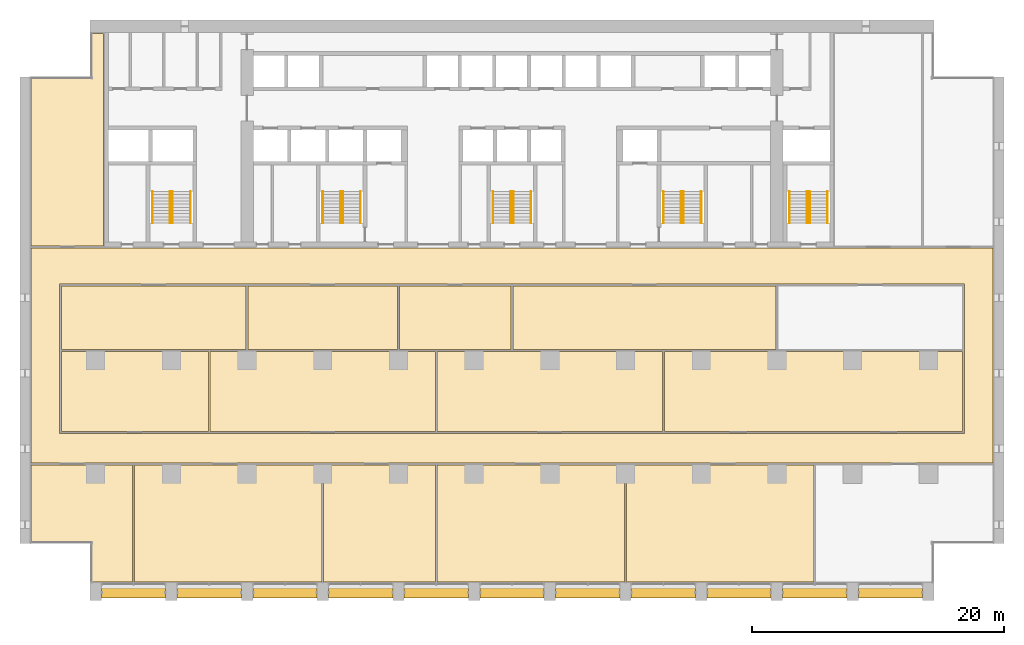
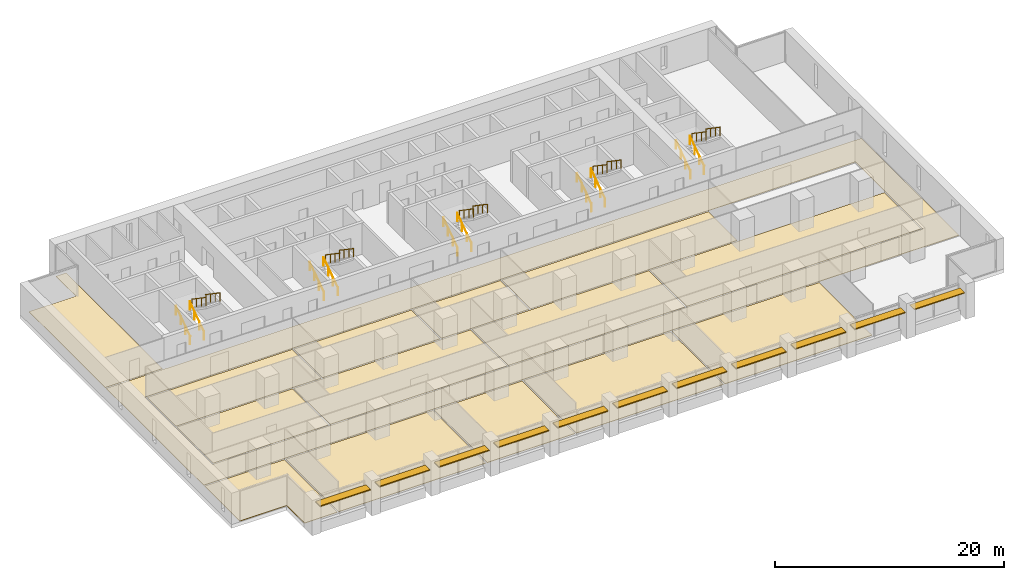
# One storey, part 17 of 18: 20 railings, 15 coverings, 11 shading devices, 5 elements without a shape of their own.
"""IFC4 building model written with IfcOpenShell, lengths in metres."""

from ifc_helpers import new_model, si_unit, direction, frame, origin, origin_2d, place, context, subcontext, project, spatial, polyline, rectangle, circle, outline, extrude, material, layer, layer_set, material_profile, profile_set, type_object, element, aggregate, save


model = new_model("IFC4")

# Units and contexts
model_context = context("Model", 3, precision=1e-05, world=origin(), true_north=direction((0.0, 1.0)))
body_context = subcontext(model_context, "Body", "Model", "MODEL_VIEW")
ifc_project = project(units=[si_unit("LENGTHUNIT", "METRE"), si_unit("AREAUNIT", "SQUARE_METRE"), si_unit("VOLUMEUNIT", "CUBIC_METRE"), si_unit("PLANEANGLEUNIT", "RADIAN"), si_unit("MASSUNIT", "GRAM", prefix="KILO")], contexts=[model_context])

# Site, building, storey
site_placement = place(None, origin())
site = spatial("IfcSite", under=ifc_project, at=site_placement, CompositionType="ELEMENT")
building_placement = place(site_placement, origin())
building = spatial("IfcBuilding", under=site, at=building_placement, Name="Calvaro Tower", CompositionType="ELEMENT")
storey_placement = place(building_placement, frame((0.0, 0.0, 78.75)))
storey = spatial("IfcBuildingStorey", under=building, at=storey_placement, Name="L19", CompositionType="ELEMENT", Elevation=78.75)

# Shading devices
ifc_material_1 = material(Name="Anodised aluminium", Category="aluminium")
ifc_material_profile = material_profile(ifc_material_1, rectangle(XDim=0.800048828125, YDim=0.10009765625, at=origin_2d()), Name="Brise-soleil blade 800 x 100")
ifc_profile_set = profile_set([ifc_material_profile], Name="Anodised aluminium")
shading_device_type = type_object("IfcShadingDeviceType", Name="Brise-soleil blade 800 x 100", PredefinedType="JALOUSIE", material=ifc_profile_set)
for number, where, z_axis, x_axis, name in (
    (1, (6.449951171875, 0.60009765625, 2.300048828125), (1.0, 0.0, 0.0), (0.0, 1.0, 0.0), "Brise-soleil blade 1"),
    (2, (12.449951171875, 0.60009765625, 2.300048828125), (1.0, 0.0, 0.0), (0.0, 1.0, 0.0), "Brise-soleil blade 2"),
    (3, (18.449951171875, 0.60009765625, 2.300048828125), (1.0, 0.0, 0.0), (0.0, 1.0, 0.0), "Brise-soleil blade 3"),
    (4, (24.449951171875, 0.60009765625, 2.300048828125), (1.0, 0.0, 0.0), (0.0, 1.0, 0.0), "Brise-soleil blade 4"),
    (5, (30.449951171875, 0.60009765625, 2.300048828125), (1.0, 0.0, 0.0), (0.0, 1.0, 0.0), "Brise-soleil blade 5"),
    (6, (36.449951171875, 0.60009765625, 2.300048828125), (1.0, 0.0, 0.0), (0.0, 1.0, 0.0), "Brise-soleil blade 6"),
    (7, (42.449951171875, 0.60009765625, 2.300048828125), (1.0, 0.0, 0.0), (0.0, 1.0, 0.0), "Brise-soleil blade 7"),
    (8, (48.449951171875, 0.60009765625, 2.300048828125), (1.0, 0.0, 0.0), (0.0, 1.0, 0.0), "Brise-soleil blade 8"),
    (9, (54.449951171875, 0.60009765625, 2.300048828125), (1.0, 0.0, 0.0), (0.0, 1.0, 0.0), "Brise-soleil blade 9"),
    (10, (60.449951171875, 0.60009765625, 2.300048828125), (1.0, 0.0, 0.0), (0.0, 1.0, 0.0), "Brise-soleil blade 10"),
    (11, (66.449951171875, 0.60009765625, 2.300048828125), (1.0, 0.0, 0.0), (0.0, 1.0, 0.0), "Brise-soleil blade 11"),
):
    element("IfcShadingDevice", number, at=place(storey_placement, frame(where, z_axis=z_axis, x_axis=x_axis)), inside=storey, type_object=shading_device_type, Name=name, PredefinedType="JALOUSIE", context=body_context, shape_type="SweptSolid", body=[
        extrude(rectangle(XDim=0.800048828125, YDim=0.10009765625, at=origin_2d()), origin(), (0.0, 0.0, 1.0), 5.10009765625),
    ])

# Coverings
ifc_material_2 = material(Name="Cement screed with carpet tile finish")
ifc_layer = layer(ifc_material_2, 0.050048828125)
ifc_layer_set = layer_set([ifc_layer], Name="Cement screed with carpet tile finish")
covering_type = type_object("IfcCoveringType", Name="Floor finish 50", PredefinedType="FLOORING", material=ifc_layer_set)
covering_1_placement = place(storey_placement, origin())
element("IfcCovering", 12, at=covering_1_placement, inside=storey, type_object=covering_type, Name="Floor finish 14.01", PredefinedType="FLOORING", context=body_context, shape_type="SweptSolid", body=[
    extrude(outline(polyline([(0.8701171875, 10.8701171875), (0.8701171875, 27.929931640625), (77.1298828125, 27.929931640625), (77.1298828125, 10.8701171875), (0.8701171875, 10.8701171875)]), holes=[polyline([(74.8701171875, 13.22998046875), (74.8701171875, 25.070068359375), (3.1298828125, 25.070068359375), (3.1298828125, 13.22998046875), (74.8701171875, 13.22998046875)])]), origin(), (0.0, 0.0, 1.0), 0.050048828125),
])
covering_2_placement = place(storey_placement, origin())
element("IfcCovering", 13, at=covering_2_placement, inside=storey, type_object=covering_type, Name="Floor finish 14.07", PredefinedType="FLOORING", context=body_context, shape_type="SweptSolid", body=[
    extrude(outline(polyline([(8.929931640625, 10.72998046875), (8.929931640625, 1.469970703125), (5.6201171875, 1.469970703125), (5.6201171875, 4.570068359375), (0.8701171875, 4.570068359375), (0.8701171875, 10.72998046875), (8.929931640625, 10.72998046875)])), origin(), (0.0, 0.0, 1.0), 0.050048828125),
])
covering_3_placement = place(storey_placement, origin())
element("IfcCovering", 14, at=covering_3_placement, inside=storey, type_object=covering_type, Name="Floor finish 14.02", PredefinedType="FLOORING", context=body_context, shape_type="SweptSolid", body=[
    extrude(outline(polyline([(9.070068359375, 10.72998046875), (23.929931640625, 10.72998046875), (23.929931640625, 1.469970703125), (9.070068359375, 1.469970703125), (9.070068359375, 10.72998046875)])), origin(), (0.0, 0.0, 1.0), 0.050048828125),
])
covering_4_placement = place(storey_placement, origin())
element("IfcCovering", 15, at=covering_4_placement, inside=storey, type_object=covering_type, Name="Floor finish 14.03", PredefinedType="FLOORING", context=body_context, shape_type="SweptSolid", body=[
    extrude(outline(polyline([(24.070068359375, 10.72998046875), (32.929931640625, 10.72998046875), (32.929931640625, 1.469970703125), (24.070068359375, 1.469970703125), (24.070068359375, 10.72998046875)])), origin(), (0.0, 0.0, 1.0), 0.050048828125),
])
covering_5_placement = place(storey_placement, origin())
element("IfcCovering", 16, at=covering_5_placement, inside=storey, type_object=covering_type, Name="Floor finish 14.04", PredefinedType="FLOORING", context=body_context, shape_type="SweptSolid", body=[
    extrude(outline(polyline([(33.070068359375, 10.72998046875), (47.929931640625, 10.72998046875), (47.929931640625, 1.469970703125), (33.070068359375, 1.469970703125), (33.070068359375, 10.72998046875)])), origin(), (0.0, 0.0, 1.0), 0.050048828125),
])
covering_6_placement = place(storey_placement, origin())
element("IfcCovering", 17, at=covering_6_placement, inside=storey, type_object=covering_type, Name="Floor finish 14.05", PredefinedType="FLOORING", context=body_context, shape_type="SweptSolid", body=[
    extrude(outline(polyline([(48.070068359375, 10.72998046875), (62.929931640625, 10.72998046875), (62.929931640625, 1.469970703125), (48.070068359375, 1.469970703125), (48.070068359375, 10.72998046875)])), origin(), (0.0, 0.0, 1.0), 0.050048828125),
])
covering_7_placement = place(storey_placement, origin())
element("IfcCovering", 18, at=covering_7_placement, inside=storey, type_object=covering_type, Name="Floor finish 14.08", PredefinedType="FLOORING", context=body_context, shape_type="SweptSolid", body=[
    extrude(outline(polyline([(3.27001953125, 13.3701171875), (3.27001953125, 19.72998046875), (14.929931640625, 19.72998046875), (14.929931640625, 13.3701171875), (3.27001953125, 13.3701171875)])), origin(), (0.0, 0.0, 1.0), 0.050048828125),
])
covering_8_placement = place(storey_placement, origin())
element("IfcCovering", 19, at=covering_8_placement, inside=storey, type_object=covering_type, Name="Floor finish 14.09", PredefinedType="FLOORING", context=body_context, shape_type="SweptSolid", body=[
    extrude(outline(polyline([(15.070068359375, 13.3701171875), (15.070068359375, 19.72998046875), (32.929931640625, 19.72998046875), (32.929931640625, 13.3701171875), (15.070068359375, 13.3701171875)])), origin(), (0.0, 0.0, 1.0), 0.050048828125),
])
covering_9_placement = place(storey_placement, origin())
element("IfcCovering", 20, at=covering_9_placement, inside=storey, type_object=covering_type, Name="Floor finish 14.10", PredefinedType="FLOORING", context=body_context, shape_type="SweptSolid", body=[
    extrude(outline(polyline([(33.070068359375, 13.3701171875), (33.070068359375, 19.72998046875), (50.929931640625, 19.72998046875), (50.929931640625, 13.3701171875), (33.070068359375, 13.3701171875)])), origin(), (0.0, 0.0, 1.0), 0.050048828125),
])
covering_10_placement = place(storey_placement, origin())
element("IfcCovering", 21, at=covering_10_placement, inside=storey, type_object=covering_type, Name="Floor finish 14.11", PredefinedType="FLOORING", context=body_context, shape_type="SweptSolid", body=[
    extrude(outline(polyline([(51.070068359375, 13.3701171875), (51.070068359375, 19.72998046875), (74.72998046875, 19.72998046875), (74.72998046875, 13.3701171875), (51.070068359375, 13.3701171875)])), origin(), (0.0, 0.0, 1.0), 0.050048828125),
])
covering_11_placement = place(storey_placement, origin())
element("IfcCovering", 22, at=covering_11_placement, inside=storey, type_object=covering_type, Name="Floor finish 14.12", PredefinedType="FLOORING", context=body_context, shape_type="SweptSolid", body=[
    extrude(outline(polyline([(3.27001953125, 19.8701171875), (3.27001953125, 24.929931640625), (17.929931640625, 24.929931640625), (17.929931640625, 19.8701171875), (3.27001953125, 19.8701171875)])), origin(), (0.0, 0.0, 1.0), 0.050048828125),
])
covering_12_placement = place(storey_placement, origin())
element("IfcCovering", 23, at=covering_12_placement, inside=storey, type_object=covering_type, Name="Floor finish 14.13", PredefinedType="FLOORING", context=body_context, shape_type="SweptSolid", body=[
    extrude(outline(polyline([(18.070068359375, 19.8701171875), (18.070068359375, 24.929931640625), (29.929931640625, 24.929931640625), (29.929931640625, 19.8701171875), (18.070068359375, 19.8701171875)])), origin(), (0.0, 0.0, 1.0), 0.050048828125),
])
covering_13_placement = place(storey_placement, origin())
element("IfcCovering", 24, at=covering_13_placement, inside=storey, type_object=covering_type, Name="Floor finish 14.14", PredefinedType="FLOORING", context=body_context, shape_type="SweptSolid", body=[
    extrude(outline(polyline([(30.070068359375, 19.8701171875), (30.070068359375, 24.929931640625), (38.929931640625, 24.929931640625), (38.929931640625, 19.8701171875), (30.070068359375, 19.8701171875)])), origin(), (0.0, 0.0, 1.0), 0.050048828125),
])
covering_14_placement = place(storey_placement, origin())
element("IfcCovering", 25, at=covering_14_placement, inside=storey, type_object=covering_type, Name="Floor finish 14.15", PredefinedType="FLOORING", context=body_context, shape_type="SweptSolid", body=[
    extrude(outline(polyline([(39.070068359375, 19.8701171875), (39.070068359375, 24.929931640625), (59.929931640625, 24.929931640625), (59.929931640625, 19.8701171875), (39.070068359375, 19.8701171875)])), origin(), (0.0, 0.0, 1.0), 0.050048828125),
])
covering_15_placement = place(storey_placement, origin())
element("IfcCovering", 26, at=covering_15_placement, inside=storey, type_object=covering_type, Name="Floor finish 14.18", PredefinedType="FLOORING", context=body_context, shape_type="SweptSolid", body=[
    extrude(outline(polyline([(6.6298828125, 28.070068359375), (0.8701171875, 28.070068359375), (0.8701171875, 41.429931640625), (5.6201171875, 41.429931640625), (5.6201171875, 44.929931640625), (6.6298828125, 44.929931640625), (6.6298828125, 28.070068359375)])), origin(), (0.0, 0.0, 1.0), 0.050048828125),
])

# Stair, railings
ifc_material_3 = material(Name="Concrete C40/50", Category="concrete")
stair_type = type_object("IfcStairType", Name="Exit stair 1400 2 flights", PredefinedType="HALF_TURN_STAIR", material=ifc_material_3)
stair_1_placement = place(storey_placement, origin())
stair_1 = element("IfcStair", 27, at=stair_1_placement, inside=storey, type_object=stair_type, Name="Exit stair S1", PredefinedType="HALF_TURN_STAIR")
ifc_material_4 = material(Name="Stainless steel", Category="steel")
railing_type = type_object("IfcRailingType", Name="Stair handrail", PredefinedType="HANDRAIL", material=ifc_material_4)
railing_1_placement = place(storey_placement, frame((11.89990234375, 29.89990234375, 0.17041015625)))
railing_1 = element("IfcRailing", 28, at=railing_1_placement, type_object=railing_type, Name="Exit stair 1 handrail", PredefinedType="HANDRAIL", context=body_context, shape_type="SweptSolid", body=[
    extrude(circle(Radius=0.02392578125, at=origin_2d()), frame((0.0, 0.0, 0.8759765625), z_axis=(0.0, 0.826220514629, 0.563346839174), x_axis=(-1.0, 0.0, 0.0)), (0.0, 0.0, 1.0), 3.02587890625),
    extrude(circle(Radius=0.02099609375, at=origin_2d()), frame((0.0, 0.017333984375, 0.01171875)), (0.0, 0.0, 1.0), 0.851806640625),
    extrude(circle(Radius=0.02099609375, at=origin_2d()), frame((0.0, 0.833251953125, 0.568115234375)), (0.0, 0.0, 1.0), 0.851806640625),
    extrude(circle(Radius=0.02099609375, at=origin_2d()), frame((0.0, 1.666748046875, 1.136474609375)), (0.0, 0.0, 1.0), 0.851806640625),
    extrude(circle(Radius=0.02099609375, at=origin_2d()), frame((0.0, 2.482666015625, 1.69287109375)), (0.0, 0.0, 1.0), 0.851806640625),
])
railing_2_placement = place(storey_placement, frame((10.5, 29.89990234375, 0.17041015625)))
railing_2 = element("IfcRailing", 29, at=railing_2_placement, type_object=railing_type, Name="Exit stair 1 handrail", PredefinedType="HANDRAIL", context=body_context, shape_type="SweptSolid", body=[
    extrude(circle(Radius=0.02392578125, at=origin_2d()), frame((0.0, 0.0, 0.8759765625), z_axis=(0.0, 0.826220514629, 0.563346839174), x_axis=(-1.0, 0.0, 0.0)), (0.0, 0.0, 1.0), 3.02587890625),
    extrude(circle(Radius=0.02099609375, at=origin_2d()), frame((0.0, 0.017333984375, 0.01171875)), (0.0, 0.0, 1.0), 0.851806640625),
    extrude(circle(Radius=0.02099609375, at=origin_2d()), frame((0.0, 0.833251953125, 0.568115234375)), (0.0, 0.0, 1.0), 0.851806640625),
    extrude(circle(Radius=0.02099609375, at=origin_2d()), frame((0.0, 1.666748046875, 1.136474609375)), (0.0, 0.0, 1.0), 0.851806640625),
    extrude(circle(Radius=0.02099609375, at=origin_2d()), frame((0.0, 2.482666015625, 1.69287109375)), (0.0, 0.0, 1.0), 0.851806640625),
])
railing_3_placement = place(storey_placement, frame((12.10009765625, 32.39990234375, 2.04541015625)))
railing_3 = element("IfcRailing", 30, at=railing_3_placement, type_object=railing_type, Name="Exit stair 1 handrail", PredefinedType="HANDRAIL", context=body_context, shape_type="SweptSolid", body=[
    extrude(circle(Radius=0.02392578125, at=origin_2d()), frame((0.0, 0.0, 0.8759765625), z_axis=(0.0, -0.826220514629, 0.563346839174), x_axis=(1.0, 0.0, 0.0)), (0.0, 0.0, 1.0), 3.02587890625),
    extrude(circle(Radius=0.02099609375, at=origin_2d()), frame((0.0, -0.017333984375, 0.01171875)), (0.0, 0.0, 1.0), 0.851806640625),
    extrude(circle(Radius=0.02099609375, at=origin_2d()), frame((0.0, -0.833251953125, 0.568115234375)), (0.0, 0.0, 1.0), 0.851806640625),
    extrude(circle(Radius=0.02099609375, at=origin_2d()), frame((0.0, -1.666748046875, 1.136474609375)), (0.0, 0.0, 1.0), 0.851806640625),
    extrude(circle(Radius=0.02099609375, at=origin_2d()), frame((0.0, -2.482666015625, 1.69287109375)), (0.0, 0.0, 1.0), 0.851806640625),
])
railing_4_placement = place(storey_placement, frame((13.5, 32.39990234375, 2.04541015625)))
railing_4 = element("IfcRailing", 31, at=railing_4_placement, type_object=railing_type, Name="Exit stair 1 handrail", PredefinedType="HANDRAIL", context=body_context, shape_type="SweptSolid", body=[
    extrude(circle(Radius=0.02392578125, at=origin_2d()), frame((0.0, 0.0, 0.8759765625), z_axis=(0.0, -0.826220514629, 0.563346839174), x_axis=(1.0, 0.0, 0.0)), (0.0, 0.0, 1.0), 3.02587890625),
    extrude(circle(Radius=0.02099609375, at=origin_2d()), frame((0.0, -0.017333984375, 0.01171875)), (0.0, 0.0, 1.0), 0.851806640625),
    extrude(circle(Radius=0.02099609375, at=origin_2d()), frame((0.0, -0.833251953125, 0.568115234375)), (0.0, 0.0, 1.0), 0.851806640625),
    extrude(circle(Radius=0.02099609375, at=origin_2d()), frame((0.0, -1.666748046875, 1.136474609375)), (0.0, 0.0, 1.0), 0.851806640625),
    extrude(circle(Radius=0.02099609375, at=origin_2d()), frame((0.0, -2.482666015625, 1.69287109375)), (0.0, 0.0, 1.0), 0.851806640625),
])
aggregate(stair_1, [railing_1, railing_2, railing_3, railing_4])

stair_2_placement = place(storey_placement, origin())
stair_2 = element("IfcStair", 32, at=stair_2_placement, inside=storey, type_object=stair_type, Name="Exit stair S2", PredefinedType="HALF_TURN_STAIR")
railing_5_placement = place(storey_placement, frame((25.39990234375, 29.89990234375, 0.17041015625)))
railing_5 = element("IfcRailing", 33, at=railing_5_placement, type_object=railing_type, Name="Exit stair 2 handrail", PredefinedType="HANDRAIL", context=body_context, shape_type="SweptSolid", body=[
    extrude(circle(Radius=0.02392578125, at=origin_2d()), frame((0.0, 0.0, 0.8759765625), z_axis=(0.0, 0.826220514629, 0.563346839174), x_axis=(-1.0, 0.0, 0.0)), (0.0, 0.0, 1.0), 3.02587890625),
    extrude(circle(Radius=0.02099609375, at=origin_2d()), frame((0.0, 0.017333984375, 0.01171875)), (0.0, 0.0, 1.0), 0.851806640625),
    extrude(circle(Radius=0.02099609375, at=origin_2d()), frame((0.0, 0.833251953125, 0.568115234375)), (0.0, 0.0, 1.0), 0.851806640625),
    extrude(circle(Radius=0.02099609375, at=origin_2d()), frame((0.0, 1.666748046875, 1.136474609375)), (0.0, 0.0, 1.0), 0.851806640625),
    extrude(circle(Radius=0.02099609375, at=origin_2d()), frame((0.0, 2.482666015625, 1.69287109375)), (0.0, 0.0, 1.0), 0.851806640625),
])
railing_6_placement = place(storey_placement, frame((24.0, 29.89990234375, 0.17041015625)))
railing_6 = element("IfcRailing", 34, at=railing_6_placement, type_object=railing_type, Name="Exit stair 2 handrail", PredefinedType="HANDRAIL", context=body_context, shape_type="SweptSolid", body=[
    extrude(circle(Radius=0.02392578125, at=origin_2d()), frame((0.0, 0.0, 0.8759765625), z_axis=(0.0, 0.826220514629, 0.563346839174), x_axis=(-1.0, 0.0, 0.0)), (0.0, 0.0, 1.0), 3.02587890625),
    extrude(circle(Radius=0.02099609375, at=origin_2d()), frame((0.0, 0.017333984375, 0.01171875)), (0.0, 0.0, 1.0), 0.851806640625),
    extrude(circle(Radius=0.02099609375, at=origin_2d()), frame((0.0, 0.833251953125, 0.568115234375)), (0.0, 0.0, 1.0), 0.851806640625),
    extrude(circle(Radius=0.02099609375, at=origin_2d()), frame((0.0, 1.666748046875, 1.136474609375)), (0.0, 0.0, 1.0), 0.851806640625),
    extrude(circle(Radius=0.02099609375, at=origin_2d()), frame((0.0, 2.482666015625, 1.69287109375)), (0.0, 0.0, 1.0), 0.851806640625),
])
railing_7_placement = place(storey_placement, frame((25.60009765625, 32.39990234375, 2.04541015625)))
railing_7 = element("IfcRailing", 35, at=railing_7_placement, type_object=railing_type, Name="Exit stair 2 handrail", PredefinedType="HANDRAIL", context=body_context, shape_type="SweptSolid", body=[
    extrude(circle(Radius=0.02392578125, at=origin_2d()), frame((0.0, 0.0, 0.8759765625), z_axis=(0.0, -0.826220514629, 0.563346839174), x_axis=(1.0, 0.0, 0.0)), (0.0, 0.0, 1.0), 3.02587890625),
    extrude(circle(Radius=0.02099609375, at=origin_2d()), frame((0.0, -0.017333984375, 0.01171875)), (0.0, 0.0, 1.0), 0.851806640625),
    extrude(circle(Radius=0.02099609375, at=origin_2d()), frame((0.0, -0.833251953125, 0.568115234375)), (0.0, 0.0, 1.0), 0.851806640625),
    extrude(circle(Radius=0.02099609375, at=origin_2d()), frame((0.0, -1.666748046875, 1.136474609375)), (0.0, 0.0, 1.0), 0.851806640625),
    extrude(circle(Radius=0.02099609375, at=origin_2d()), frame((0.0, -2.482666015625, 1.69287109375)), (0.0, 0.0, 1.0), 0.851806640625),
])
railing_8_placement = place(storey_placement, frame((27.0, 32.39990234375, 2.04541015625)))
railing_8 = element("IfcRailing", 36, at=railing_8_placement, type_object=railing_type, Name="Exit stair 2 handrail", PredefinedType="HANDRAIL", context=body_context, shape_type="SweptSolid", body=[
    extrude(circle(Radius=0.02392578125, at=origin_2d()), frame((0.0, 0.0, 0.8759765625), z_axis=(0.0, -0.826220514629, 0.563346839174), x_axis=(1.0, 0.0, 0.0)), (0.0, 0.0, 1.0), 3.02587890625),
    extrude(circle(Radius=0.02099609375, at=origin_2d()), frame((0.0, -0.017333984375, 0.01171875)), (0.0, 0.0, 1.0), 0.851806640625),
    extrude(circle(Radius=0.02099609375, at=origin_2d()), frame((0.0, -0.833251953125, 0.568115234375)), (0.0, 0.0, 1.0), 0.851806640625),
    extrude(circle(Radius=0.02099609375, at=origin_2d()), frame((0.0, -1.666748046875, 1.136474609375)), (0.0, 0.0, 1.0), 0.851806640625),
    extrude(circle(Radius=0.02099609375, at=origin_2d()), frame((0.0, -2.482666015625, 1.69287109375)), (0.0, 0.0, 1.0), 0.851806640625),
])
aggregate(stair_2, [railing_5, railing_6, railing_7, railing_8])

stair_3_placement = place(storey_placement, origin())
stair_3 = element("IfcStair", 37, at=stair_3_placement, inside=storey, type_object=stair_type, Name="Exit stair S3", PredefinedType="HALF_TURN_STAIR")
railing_9_placement = place(storey_placement, frame((38.89990234375, 29.89990234375, 0.17041015625)))
railing_9 = element("IfcRailing", 38, at=railing_9_placement, type_object=railing_type, Name="Exit stair 3 handrail", PredefinedType="HANDRAIL", context=body_context, shape_type="SweptSolid", body=[
    extrude(circle(Radius=0.02392578125, at=origin_2d()), frame((0.0, 0.0, 0.8759765625), z_axis=(0.0, 0.826220514629, 0.563346839174), x_axis=(-1.0, 0.0, 0.0)), (0.0, 0.0, 1.0), 3.02587890625),
    extrude(circle(Radius=0.02099609375, at=origin_2d()), frame((0.0, 0.017333984375, 0.01171875)), (0.0, 0.0, 1.0), 0.851806640625),
    extrude(circle(Radius=0.02099609375, at=origin_2d()), frame((0.0, 0.833251953125, 0.568115234375)), (0.0, 0.0, 1.0), 0.851806640625),
    extrude(circle(Radius=0.02099609375, at=origin_2d()), frame((0.0, 1.666748046875, 1.136474609375)), (0.0, 0.0, 1.0), 0.851806640625),
    extrude(circle(Radius=0.02099609375, at=origin_2d()), frame((0.0, 2.482666015625, 1.69287109375)), (0.0, 0.0, 1.0), 0.851806640625),
])
railing_10_placement = place(storey_placement, frame((37.5, 29.89990234375, 0.17041015625)))
railing_10 = element("IfcRailing", 39, at=railing_10_placement, type_object=railing_type, Name="Exit stair 3 handrail", PredefinedType="HANDRAIL", context=body_context, shape_type="SweptSolid", body=[
    extrude(circle(Radius=0.02392578125, at=origin_2d()), frame((0.0, 0.0, 0.8759765625), z_axis=(0.0, 0.826220514629, 0.563346839174), x_axis=(-1.0, 0.0, 0.0)), (0.0, 0.0, 1.0), 3.02587890625),
    extrude(circle(Radius=0.02099609375, at=origin_2d()), frame((0.0, 0.017333984375, 0.01171875)), (0.0, 0.0, 1.0), 0.851806640625),
    extrude(circle(Radius=0.02099609375, at=origin_2d()), frame((0.0, 0.833251953125, 0.568115234375)), (0.0, 0.0, 1.0), 0.851806640625),
    extrude(circle(Radius=0.02099609375, at=origin_2d()), frame((0.0, 1.666748046875, 1.136474609375)), (0.0, 0.0, 1.0), 0.851806640625),
    extrude(circle(Radius=0.02099609375, at=origin_2d()), frame((0.0, 2.482666015625, 1.69287109375)), (0.0, 0.0, 1.0), 0.851806640625),
])
railing_11_placement = place(storey_placement, frame((39.10009765625, 32.39990234375, 2.04541015625)))
railing_11 = element("IfcRailing", 40, at=railing_11_placement, type_object=railing_type, Name="Exit stair 3 handrail", PredefinedType="HANDRAIL", context=body_context, shape_type="SweptSolid", body=[
    extrude(circle(Radius=0.02392578125, at=origin_2d()), frame((0.0, 0.0, 0.8759765625), z_axis=(0.0, -0.826220514629, 0.563346839174), x_axis=(1.0, 0.0, 0.0)), (0.0, 0.0, 1.0), 3.02587890625),
    extrude(circle(Radius=0.02099609375, at=origin_2d()), frame((0.0, -0.017333984375, 0.01171875)), (0.0, 0.0, 1.0), 0.851806640625),
    extrude(circle(Radius=0.02099609375, at=origin_2d()), frame((0.0, -0.833251953125, 0.568115234375)), (0.0, 0.0, 1.0), 0.851806640625),
    extrude(circle(Radius=0.02099609375, at=origin_2d()), frame((0.0, -1.666748046875, 1.136474609375)), (0.0, 0.0, 1.0), 0.851806640625),
    extrude(circle(Radius=0.02099609375, at=origin_2d()), frame((0.0, -2.482666015625, 1.69287109375)), (0.0, 0.0, 1.0), 0.851806640625),
])
railing_12_placement = place(storey_placement, frame((40.5, 32.39990234375, 2.04541015625)))
railing_12 = element("IfcRailing", 41, at=railing_12_placement, type_object=railing_type, Name="Exit stair 3 handrail", PredefinedType="HANDRAIL", context=body_context, shape_type="SweptSolid", body=[
    extrude(circle(Radius=0.02392578125, at=origin_2d()), frame((0.0, 0.0, 0.8759765625), z_axis=(0.0, -0.826220514629, 0.563346839174), x_axis=(1.0, 0.0, 0.0)), (0.0, 0.0, 1.0), 3.02587890625),
    extrude(circle(Radius=0.02099609375, at=origin_2d()), frame((0.0, -0.017333984375, 0.01171875)), (0.0, 0.0, 1.0), 0.851806640625),
    extrude(circle(Radius=0.02099609375, at=origin_2d()), frame((0.0, -0.833251953125, 0.568115234375)), (0.0, 0.0, 1.0), 0.851806640625),
    extrude(circle(Radius=0.02099609375, at=origin_2d()), frame((0.0, -1.666748046875, 1.136474609375)), (0.0, 0.0, 1.0), 0.851806640625),
    extrude(circle(Radius=0.02099609375, at=origin_2d()), frame((0.0, -2.482666015625, 1.69287109375)), (0.0, 0.0, 1.0), 0.851806640625),
])
aggregate(stair_3, [railing_9, railing_10, railing_11, railing_12])

stair_4_placement = place(storey_placement, origin())
stair_4 = element("IfcStair", 42, at=stair_4_placement, inside=storey, type_object=stair_type, Name="Exit stair S4", PredefinedType="HALF_TURN_STAIR")
railing_13_placement = place(storey_placement, frame((52.39990234375, 29.89990234375, 0.17041015625)))
railing_13 = element("IfcRailing", 43, at=railing_13_placement, type_object=railing_type, Name="Exit stair 4 handrail", PredefinedType="HANDRAIL", context=body_context, shape_type="SweptSolid", body=[
    extrude(circle(Radius=0.02392578125, at=origin_2d()), frame((0.0, 0.0, 0.8759765625), z_axis=(0.0, 0.826220514629, 0.563346839174), x_axis=(-1.0, 0.0, 0.0)), (0.0, 0.0, 1.0), 3.02587890625),
    extrude(circle(Radius=0.02099609375, at=origin_2d()), frame((0.0, 0.017333984375, 0.01171875)), (0.0, 0.0, 1.0), 0.851806640625),
    extrude(circle(Radius=0.02099609375, at=origin_2d()), frame((0.0, 0.833251953125, 0.568115234375)), (0.0, 0.0, 1.0), 0.851806640625),
    extrude(circle(Radius=0.02099609375, at=origin_2d()), frame((0.0, 1.666748046875, 1.136474609375)), (0.0, 0.0, 1.0), 0.851806640625),
    extrude(circle(Radius=0.02099609375, at=origin_2d()), frame((0.0, 2.482666015625, 1.69287109375)), (0.0, 0.0, 1.0), 0.851806640625),
])
railing_14_placement = place(storey_placement, frame((51.0, 29.89990234375, 0.17041015625)))
railing_14 = element("IfcRailing", 44, at=railing_14_placement, type_object=railing_type, Name="Exit stair 4 handrail", PredefinedType="HANDRAIL", context=body_context, shape_type="SweptSolid", body=[
    extrude(circle(Radius=0.02392578125, at=origin_2d()), frame((0.0, 0.0, 0.8759765625), z_axis=(0.0, 0.826220514629, 0.563346839174), x_axis=(-1.0, 0.0, 0.0)), (0.0, 0.0, 1.0), 3.02587890625),
    extrude(circle(Radius=0.02099609375, at=origin_2d()), frame((0.0, 0.017333984375, 0.01171875)), (0.0, 0.0, 1.0), 0.851806640625),
    extrude(circle(Radius=0.02099609375, at=origin_2d()), frame((0.0, 0.833251953125, 0.568115234375)), (0.0, 0.0, 1.0), 0.851806640625),
    extrude(circle(Radius=0.02099609375, at=origin_2d()), frame((0.0, 1.666748046875, 1.136474609375)), (0.0, 0.0, 1.0), 0.851806640625),
    extrude(circle(Radius=0.02099609375, at=origin_2d()), frame((0.0, 2.482666015625, 1.69287109375)), (0.0, 0.0, 1.0), 0.851806640625),
])
railing_15_placement = place(storey_placement, frame((52.60009765625, 32.39990234375, 2.04541015625)))
railing_15 = element("IfcRailing", 45, at=railing_15_placement, type_object=railing_type, Name="Exit stair 4 handrail", PredefinedType="HANDRAIL", context=body_context, shape_type="SweptSolid", body=[
    extrude(circle(Radius=0.02392578125, at=origin_2d()), frame((0.0, 0.0, 0.8759765625), z_axis=(0.0, -0.826220514629, 0.563346839174), x_axis=(1.0, 0.0, 0.0)), (0.0, 0.0, 1.0), 3.02587890625),
    extrude(circle(Radius=0.02099609375, at=origin_2d()), frame((0.0, -0.017333984375, 0.01171875)), (0.0, 0.0, 1.0), 0.851806640625),
    extrude(circle(Radius=0.02099609375, at=origin_2d()), frame((0.0, -0.833251953125, 0.568115234375)), (0.0, 0.0, 1.0), 0.851806640625),
    extrude(circle(Radius=0.02099609375, at=origin_2d()), frame((0.0, -1.666748046875, 1.136474609375)), (0.0, 0.0, 1.0), 0.851806640625),
    extrude(circle(Radius=0.02099609375, at=origin_2d()), frame((0.0, -2.482666015625, 1.69287109375)), (0.0, 0.0, 1.0), 0.851806640625),
])
railing_16_placement = place(storey_placement, frame((54.0, 32.39990234375, 2.04541015625)))
railing_16 = element("IfcRailing", 46, at=railing_16_placement, type_object=railing_type, Name="Exit stair 4 handrail", PredefinedType="HANDRAIL", context=body_context, shape_type="SweptSolid", body=[
    extrude(circle(Radius=0.02392578125, at=origin_2d()), frame((0.0, 0.0, 0.8759765625), z_axis=(0.0, -0.826220514629, 0.563346839174), x_axis=(1.0, 0.0, 0.0)), (0.0, 0.0, 1.0), 3.02587890625),
    extrude(circle(Radius=0.02099609375, at=origin_2d()), frame((0.0, -0.017333984375, 0.01171875)), (0.0, 0.0, 1.0), 0.851806640625),
    extrude(circle(Radius=0.02099609375, at=origin_2d()), frame((0.0, -0.833251953125, 0.568115234375)), (0.0, 0.0, 1.0), 0.851806640625),
    extrude(circle(Radius=0.02099609375, at=origin_2d()), frame((0.0, -1.666748046875, 1.136474609375)), (0.0, 0.0, 1.0), 0.851806640625),
    extrude(circle(Radius=0.02099609375, at=origin_2d()), frame((0.0, -2.482666015625, 1.69287109375)), (0.0, 0.0, 1.0), 0.851806640625),
])
aggregate(stair_4, [railing_13, railing_14, railing_15, railing_16])

stair_5_placement = place(storey_placement, origin())
stair_5 = element("IfcStair", 47, at=stair_5_placement, inside=storey, type_object=stair_type, Name="Exit stair S5", PredefinedType="HALF_TURN_STAIR")
railing_17_placement = place(storey_placement, frame((62.39990234375, 29.89990234375, 0.17041015625)))
railing_17 = element("IfcRailing", 48, at=railing_17_placement, type_object=railing_type, Name="Exit stair 5 handrail", PredefinedType="HANDRAIL", context=body_context, shape_type="SweptSolid", body=[
    extrude(circle(Radius=0.02392578125, at=origin_2d()), frame((0.0, 0.0, 0.8759765625), z_axis=(0.0, 0.826220514629, 0.563346839174), x_axis=(-1.0, 0.0, 0.0)), (0.0, 0.0, 1.0), 3.02587890625),
    extrude(circle(Radius=0.02099609375, at=origin_2d()), frame((0.0, 0.017333984375, 0.01171875)), (0.0, 0.0, 1.0), 0.851806640625),
    extrude(circle(Radius=0.02099609375, at=origin_2d()), frame((0.0, 0.833251953125, 0.568115234375)), (0.0, 0.0, 1.0), 0.851806640625),
    extrude(circle(Radius=0.02099609375, at=origin_2d()), frame((0.0, 1.666748046875, 1.136474609375)), (0.0, 0.0, 1.0), 0.851806640625),
    extrude(circle(Radius=0.02099609375, at=origin_2d()), frame((0.0, 2.482666015625, 1.69287109375)), (0.0, 0.0, 1.0), 0.851806640625),
])
railing_18_placement = place(storey_placement, frame((61.0, 29.89990234375, 0.17041015625)))
railing_18 = element("IfcRailing", 49, at=railing_18_placement, type_object=railing_type, Name="Exit stair 5 handrail", PredefinedType="HANDRAIL", context=body_context, shape_type="SweptSolid", body=[
    extrude(circle(Radius=0.02392578125, at=origin_2d()), frame((0.0, 0.0, 0.8759765625), z_axis=(0.0, 0.826220514629, 0.563346839174), x_axis=(-1.0, 0.0, 0.0)), (0.0, 0.0, 1.0), 3.02587890625),
    extrude(circle(Radius=0.02099609375, at=origin_2d()), frame((0.0, 0.017333984375, 0.01171875)), (0.0, 0.0, 1.0), 0.851806640625),
    extrude(circle(Radius=0.02099609375, at=origin_2d()), frame((0.0, 0.833251953125, 0.568115234375)), (0.0, 0.0, 1.0), 0.851806640625),
    extrude(circle(Radius=0.02099609375, at=origin_2d()), frame((0.0, 1.666748046875, 1.136474609375)), (0.0, 0.0, 1.0), 0.851806640625),
    extrude(circle(Radius=0.02099609375, at=origin_2d()), frame((0.0, 2.482666015625, 1.69287109375)), (0.0, 0.0, 1.0), 0.851806640625),
])
railing_19_placement = place(storey_placement, frame((62.60009765625, 32.39990234375, 2.04541015625)))
railing_19 = element("IfcRailing", 50, at=railing_19_placement, type_object=railing_type, Name="Exit stair 5 handrail", PredefinedType="HANDRAIL", context=body_context, shape_type="SweptSolid", body=[
    extrude(circle(Radius=0.02392578125, at=origin_2d()), frame((0.0, 0.0, 0.8759765625), z_axis=(0.0, -0.826220514629, 0.563346839174), x_axis=(1.0, 0.0, 0.0)), (0.0, 0.0, 1.0), 3.02587890625),
    extrude(circle(Radius=0.02099609375, at=origin_2d()), frame((0.0, -0.017333984375, 0.01171875)), (0.0, 0.0, 1.0), 0.851806640625),
    extrude(circle(Radius=0.02099609375, at=origin_2d()), frame((0.0, -0.833251953125, 0.568115234375)), (0.0, 0.0, 1.0), 0.851806640625),
    extrude(circle(Radius=0.02099609375, at=origin_2d()), frame((0.0, -1.666748046875, 1.136474609375)), (0.0, 0.0, 1.0), 0.851806640625),
    extrude(circle(Radius=0.02099609375, at=origin_2d()), frame((0.0, -2.482666015625, 1.69287109375)), (0.0, 0.0, 1.0), 0.851806640625),
])
railing_20_placement = place(storey_placement, frame((64.0, 32.39990234375, 2.04541015625)))
railing_20 = element("IfcRailing", 51, at=railing_20_placement, type_object=railing_type, Name="Exit stair 5 handrail", PredefinedType="HANDRAIL", context=body_context, shape_type="SweptSolid", body=[
    extrude(circle(Radius=0.02392578125, at=origin_2d()), frame((0.0, 0.0, 0.8759765625), z_axis=(0.0, -0.826220514629, 0.563346839174), x_axis=(1.0, 0.0, 0.0)), (0.0, 0.0, 1.0), 3.02587890625),
    extrude(circle(Radius=0.02099609375, at=origin_2d()), frame((0.0, -0.017333984375, 0.01171875)), (0.0, 0.0, 1.0), 0.851806640625),
    extrude(circle(Radius=0.02099609375, at=origin_2d()), frame((0.0, -0.833251953125, 0.568115234375)), (0.0, 0.0, 1.0), 0.851806640625),
    extrude(circle(Radius=0.02099609375, at=origin_2d()), frame((0.0, -1.666748046875, 1.136474609375)), (0.0, 0.0, 1.0), 0.851806640625),
    extrude(circle(Radius=0.02099609375, at=origin_2d()), frame((0.0, -2.482666015625, 1.69287109375)), (0.0, 0.0, 1.0), 0.851806640625),
])
aggregate(stair_5, [railing_17, railing_18, railing_19, railing_20])

save(model, "model.ifc")
